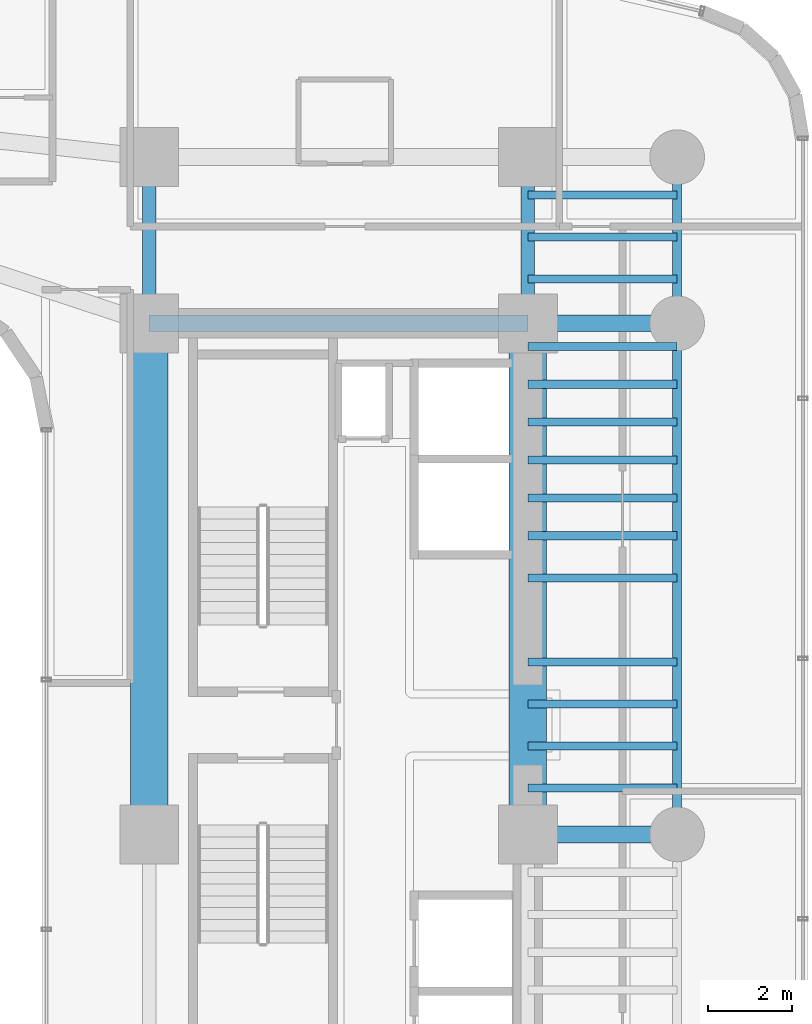
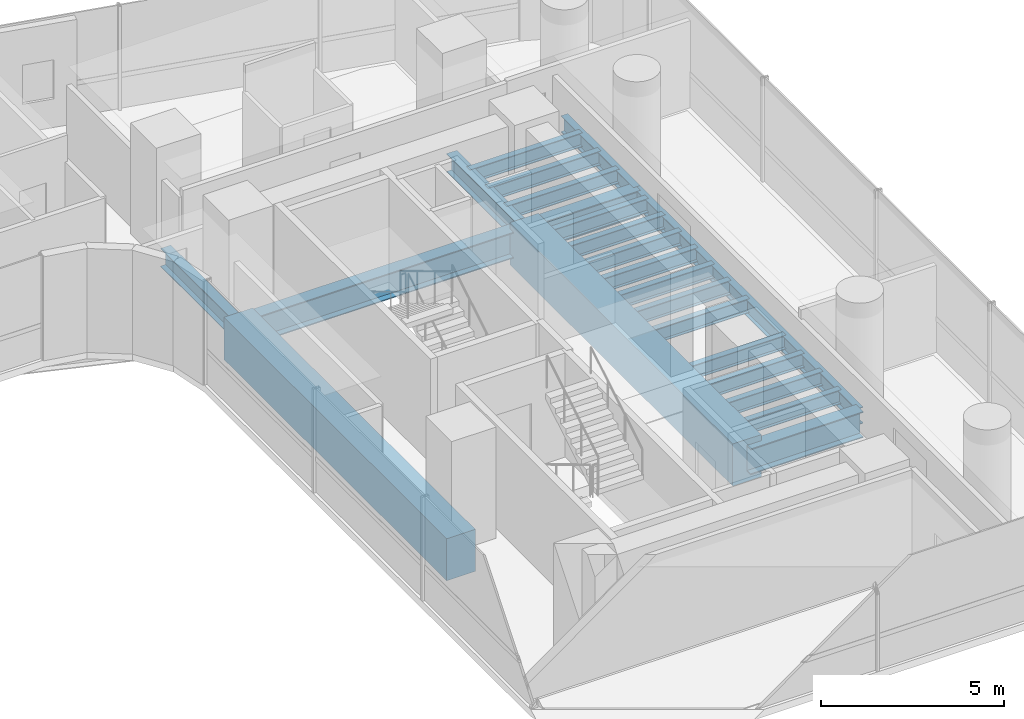
# One storey, part 17 of 40: 23 beams.
"""IFC4 building model written with IfcOpenShell, lengths in metres."""

from ifc_helpers import new_model, si_unit, direction, frame, origin, origin_2d, place, context, subcontext, project, spatial, rectangle, i_section, extrude, source, transform, mapped, material, material_profile, profile_set, type_object, element, save


model = new_model("IFC4")

# Units and contexts
model_context = context("Model", 3, precision=1e-05, world=origin(), true_north=direction((0.0, 1.0)))
body_context = subcontext(model_context, "Body", "Model", "MODEL_VIEW")
ifc_project = project(units=[si_unit("LENGTHUNIT", "METRE"), si_unit("AREAUNIT", "SQUARE_METRE"), si_unit("VOLUMEUNIT", "CUBIC_METRE"), si_unit("PLANEANGLEUNIT", "RADIAN"), si_unit("MASSUNIT", "GRAM", prefix="KILO")], contexts=[model_context])

# Site, building, storey
site_placement = place(None, origin())
site = spatial("IfcSite", under=ifc_project, at=site_placement, CompositionType="ELEMENT")
building_placement = place(site_placement, origin())
building = spatial("IfcBuilding", under=site, at=building_placement, Name="Valdorenza Pilgrim Sanctuary Tower", CompositionType="ELEMENT")
storey_placement = place(building_placement, frame((0.0, 0.0, 92.60009765625)))
storey = spatial("IfcBuildingStorey", under=building, at=storey_placement, Name="L23", CompositionType="ELEMENT", Elevation=92.60009765625)

# Beams
ifc_material_1 = material(Name="Concrete C60/75", Category="concrete")
ifc_material_profile_1 = material_profile(ifc_material_1, rectangle(XDim=0.89990234375, YDim=1.39990234375, at=origin_2d()), Name="RC 1400x900")
ifc_profile_set_1 = profile_set([ifc_material_profile_1], Name="Concrete C60/75")
beam_type_1 = type_object("IfcBeamType", Name="STR-BM-LNT-1400", PredefinedType="LINTEL", material=ifc_profile_set_1)
shared_shape_1 = source(origin(), body_context, "Body", "SweptSolid", [
    extrude(rectangle(XDim=0.89990234375, YDim=1.39990234375, at=origin_2d()), origin(), (0.0, 0.0, 1.0), 12.150146484375),
])
for number, where, z_axis, x_axis, name in (
    (1, (15.85009765625, -2.60009765625, -0.739990234375), (0.0, 1.0, 0.0), (-1.0, 0.0, 0.0), "L23 Core B West Coupling Lintel Girder"),
    (2, (24.85009765625, -2.60009765625, -0.739990234375), (0.0, 1.0, 0.0), (-1.0, 0.0, 0.0), "L23 Core B East Coupling Lintel Girder"),
):
    element("IfcBeam", number, at=place(storey_placement, frame(where, z_axis=z_axis, x_axis=x_axis)), inside=storey, type_object=beam_type_1, Name=name, PredefinedType="LINTEL", context=body_context, shape_type="MappedRepresentation", body=[
        mapped(shared_shape_1, transform((0.0, 0.0, 0.0), x_axis=(1.0, 0.0, 0.0), y_axis=(0.0, 1.0, 0.0), z_axis=(0.0, 0.0, 1.0), scale=1.0)),
    ])
ifc_material_2 = material(Name="Steel ASTM A992 Grade 50", Category="steel")
ifc_material_profile_2 = material_profile(ifc_material_2, i_section(OverallWidth=0.214111328125, OverallDepth=0.549072265625, WebThickness=0.0146484375, FlangeThickness=0.023681640625, at=origin_2d()), Name="W21X93")
ifc_profile_set_2 = profile_set([ifc_material_profile_2], Name="Steel ASTM A992 Grade 50")
beam_type_2 = type_object("IfcBeamType", Name="STR-BM-SPN-W21A", PredefinedType="SPANDREL", material=ifc_profile_set_2)
shared_shape_2 = source(origin(), body_context, "Body", "SweptSolid", [
    extrude(i_section(OverallWidth=0.214111328125, OverallDepth=0.549072265625, WebThickness=0.0146484375, FlangeThickness=0.023681640625, at=origin_2d()), origin(), (0.0, 0.0, 1.0), 12.150146484375),
])
beam_1_placement = place(storey_placement, frame((28.39990234375, -2.60009765625, -0.5146484375), z_axis=(0.0, 1.0, 0.0), x_axis=(-1.0, 0.0, 0.0)))
element("IfcBeam", 3, at=beam_1_placement, inside=storey, type_object=beam_type_2, Name="L23 Spandrel Beam WB-E-M0N1", PredefinedType="SPANDREL", context=body_context, shape_type="MappedRepresentation", body=[
    mapped(shared_shape_2, transform((0.0, 0.0, 0.0), x_axis=(1.0, 0.0, 0.0), y_axis=(0.0, 1.0, 0.0), z_axis=(0.0, 0.0, 1.0), scale=1.0)),
])
ifc_material_profile_3 = material_profile(ifc_material_2, i_section(OverallWidth=0.323974609375, OverallDepth=0.611083984375, WebThickness=0.0126953125, FlangeThickness=0.01904296875, at=origin_2d()), Name="W24X104")
ifc_profile_set_3 = profile_set([ifc_material_profile_3], Name="Steel ASTM A992 Grade 50")
beam_type_3 = type_object("IfcBeamType", Name="STR-BM-GRD-W24B", PredefinedType="BEAM", material=ifc_profile_set_3)
shared_shape_3 = source(origin(), body_context, "Body", "SweptSolid", [
    extrude(i_section(OverallWidth=0.323974609375, OverallDepth=0.611083984375, WebThickness=0.0126953125, FlangeThickness=0.01904296875, at=origin_2d()), origin(), (0.0, 0.0, 1.0), 3.949951171875),
])
for number, where, z_axis, x_axis, name in (
    (4, (15.85009765625, 9.550048828125, -0.545654296875), (0.0, 1.0, 0.0), (-1.0, 0.0, 0.0), "L23 Core Tie Girder CB-W-N1N2"),
    (5, (24.85009765625, 9.550048828125, -0.545654296875), (0.0, 1.0, 0.0), (-1.0, 0.0, 0.0), "L23 Core Tie Girder CB-E-N1N2"),
):
    element("IfcBeam", number, at=place(storey_placement, frame(where, z_axis=z_axis, x_axis=x_axis)), inside=storey, type_object=beam_type_3, Name=name, PredefinedType="BEAM", context=body_context, shape_type="MappedRepresentation", body=[
        mapped(shared_shape_3, transform((0.0, 0.0, 0.0), x_axis=(1.0, 0.0, 0.0), y_axis=(0.0, 1.0, 0.0), z_axis=(0.0, 0.0, 1.0), scale=1.0)),
    ])
shared_shape_4 = source(origin(), body_context, "Body", "SweptSolid", [
    extrude(i_section(OverallWidth=0.214111328125, OverallDepth=0.549072265625, WebThickness=0.0146484375, FlangeThickness=0.023681640625, at=origin_2d()), origin(), (0.0, 0.0, 1.0), 3.949951171875),
])
beam_2_placement = place(storey_placement, frame((28.39990234375, 9.550048828125, -0.5146484375), z_axis=(0.0, 1.0, 0.0), x_axis=(-1.0, 0.0, 0.0)))
element("IfcBeam", 6, at=beam_2_placement, inside=storey, type_object=beam_type_2, Name="L23 Spandrel Beam WB-E-N1N2", PredefinedType="SPANDREL", context=body_context, shape_type="MappedRepresentation", body=[
    mapped(shared_shape_4, transform((0.0, 0.0, 0.0), x_axis=(1.0, 0.0, 0.0), y_axis=(0.0, 1.0, 0.0), z_axis=(0.0, 0.0, 1.0), scale=1.0)),
])
ifc_material_profile_4 = material_profile(ifc_material_2, i_section(OverallWidth=0.193115234375, OverallDepth=0.466064453125, WebThickness=0.011474609375, FlangeThickness=0.01904296875, at=origin_2d()), Name="W18X65")
ifc_profile_set_4 = profile_set([ifc_material_profile_4], Name="Steel ASTM A992 Grade 50")
beam_type_4 = type_object("IfcBeamType", Name="STR-BM-JST-W18A", PredefinedType="JOIST", material=ifc_profile_set_4)
shared_shape_5 = source(origin(), body_context, "Body", "SweptSolid", [
    extrude(i_section(OverallWidth=0.193115234375, OverallDepth=0.466064453125, WebThickness=0.011474609375, FlangeThickness=0.01904296875, at=origin_2d()), origin(), (0.0, 0.0, 1.0), 3.5498046875),
])
for number, where, z_axis, x_axis, name in (
    (7, (24.85009765625, -1.5, -0.47314453125), (1.0, 0.0, 0.0), (0.0, 1.0, 0.0), "L23 Composite Floor Joist JST-WB-8"),
    (8, (24.85009765625, -0.5, -0.47314453125), (1.0, 0.0, 0.0), (0.0, 1.0, 0.0), "L23 Composite Floor Joist JST-WB-9"),
    (9, (24.85009765625, 0.5, -0.47314453125), (1.0, 0.0, 0.0), (0.0, 1.0, 0.0), "L23 Composite Floor Joist JST-WB-10"),
    (10, (24.85009765625, 1.5, -0.47314453125), (1.0, 0.0, 0.0), (0.0, 1.0, 0.0), "L23 Composite Floor Joist JST-WB-11"),
    (11, (24.85009765625, 3.5, -0.47314453125), (1.0, 0.0, 0.0), (0.0, 1.0, 0.0), "L23 Composite Floor Joist JST-WB-12"),
    (12, (24.85009765625, 4.5, -0.47314453125), (1.0, 0.0, 0.0), (0.0, 1.0, 0.0), "L23 Composite Floor Joist JST-WB-13"),
    (13, (24.85009765625, 5.39990234375, -0.47314453125), (1.0, 0.0, 0.0), (0.0, 1.0, 0.0), "L23 Composite Floor Joist JST-WB-14"),
    (14, (24.85009765625, 6.300048828125, -0.47314453125), (1.0, 0.0, 0.0), (0.0, 1.0, 0.0), "L23 Composite Floor Joist JST-WB-15"),
    (15, (24.85009765625, 7.199951171875, -0.47314453125), (1.0, 0.0, 0.0), (0.0, 1.0, 0.0), "L23 Composite Floor Joist JST-WB-16"),
    (16, (24.85009765625, 8.10009765625, -0.47314453125), (1.0, 0.0, 0.0), (0.0, 1.0, 0.0), "L23 Composite Floor Joist JST-WB-17"),
    (17, (24.85009765625, 9.0, -0.47314453125), (1.0, 0.0, 0.0), (0.0, 1.0, 0.0), "L23 Composite Floor Joist JST-WB-18"),
    (18, (24.85009765625, 10.60009765625, -0.47314453125), (1.0, 0.0, 0.0), (0.0, 1.0, 0.0), "L23 Composite Floor Joist JST-WB-19"),
    (19, (24.85009765625, 11.60009765625, -0.47314453125), (1.0, 0.0, 0.0), (0.0, 1.0, 0.0), "L23 Composite Floor Joist JST-WB-20"),
    (20, (24.85009765625, 12.60009765625, -0.47314453125), (1.0, 0.0, 0.0), (0.0, 1.0, 0.0), "L23 Composite Floor Joist JST-WB-21"),
):
    element("IfcBeam", number, at=place(storey_placement, frame(where, z_axis=z_axis, x_axis=x_axis)), inside=storey, type_object=beam_type_4, Name=name, PredefinedType="JOIST", context=body_context, shape_type="MappedRepresentation", body=[
        mapped(shared_shape_5, transform((0.0, 0.0, 0.0), x_axis=(1.0, 0.0, 0.0), y_axis=(0.0, 1.0, 0.0), z_axis=(0.0, 0.0, 1.0), scale=1.0)),
    ])
ifc_material_profile_5 = material_profile(ifc_material_2, i_section(OverallWidth=0.39990234375, OverallDepth=0.862060546875, WebThickness=0.019775390625, FlangeThickness=0.032470703125, at=origin_2d()), Name="W33X221")
ifc_profile_set_5 = profile_set([ifc_material_profile_5], Name="Steel ASTM A992 Grade 50")
beam_type_5 = type_object("IfcBeamType", Name="STR-BM-GRD-W33", PredefinedType="BEAM", material=ifc_profile_set_5)
shared_shape_6 = source(origin(), body_context, "Body", "SweptSolid", [
    extrude(i_section(OverallWidth=0.39990234375, OverallDepth=0.862060546875, WebThickness=0.019775390625, FlangeThickness=0.032470703125, at=origin_2d()), origin(), (0.0, 0.0, 1.0), 9.0),
])
beam_3_placement = place(storey_placement, frame((15.85009765625, 9.550048828125, -0.671142578125), z_axis=(1.0, 0.0, 0.0), x_axis=(0.0, 1.0, 0.0)))
element("IfcBeam", 21, at=beam_3_placement, inside=storey, type_object=beam_type_5, Name="L23 Floor Girder CB-XC-N1", PredefinedType="BEAM", context=body_context, shape_type="MappedRepresentation", body=[
    mapped(shared_shape_6, transform((0.0, 0.0, 0.0), x_axis=(1.0, 0.0, 0.0), y_axis=(0.0, 1.0, 0.0), z_axis=(0.0, 0.0, 1.0), scale=1.0)),
])
shared_shape_7 = source(origin(), body_context, "Body", "SweptSolid", [
    extrude(i_section(OverallWidth=0.39990234375, OverallDepth=0.862060546875, WebThickness=0.019775390625, FlangeThickness=0.032470703125, at=origin_2d()), origin(), (0.0, 0.0, 1.0), 3.5498046875),
])
for number, where, z_axis, x_axis, name in (
    (22, (24.85009765625, -2.60009765625, -0.671142578125), (1.0, 0.0, 0.0), (0.0, 1.0, 0.0), "L23 Floor Girder WB-XE-M0"),
    (23, (24.85009765625, 9.550048828125, -0.671142578125), (1.0, 0.0, 0.0), (0.0, 1.0, 0.0), "L23 Floor Girder WB-XE-N1"),
):
    element("IfcBeam", number, at=place(storey_placement, frame(where, z_axis=z_axis, x_axis=x_axis)), inside=storey, type_object=beam_type_5, Name=name, PredefinedType="BEAM", context=body_context, shape_type="MappedRepresentation", body=[
        mapped(shared_shape_7, transform((0.0, 0.0, 0.0), x_axis=(1.0, 0.0, 0.0), y_axis=(0.0, 1.0, 0.0), z_axis=(0.0, 0.0, 1.0), scale=1.0)),
    ])

save(model, "model.ifc")
